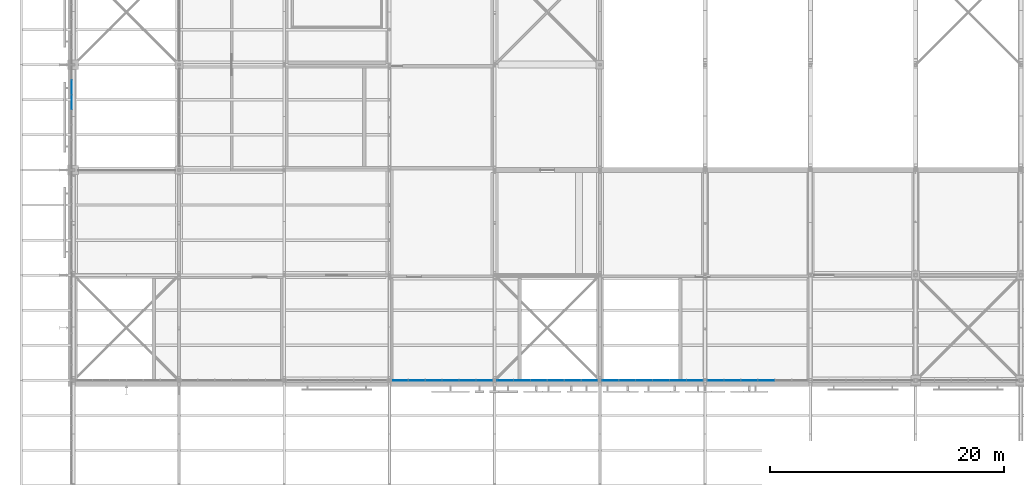
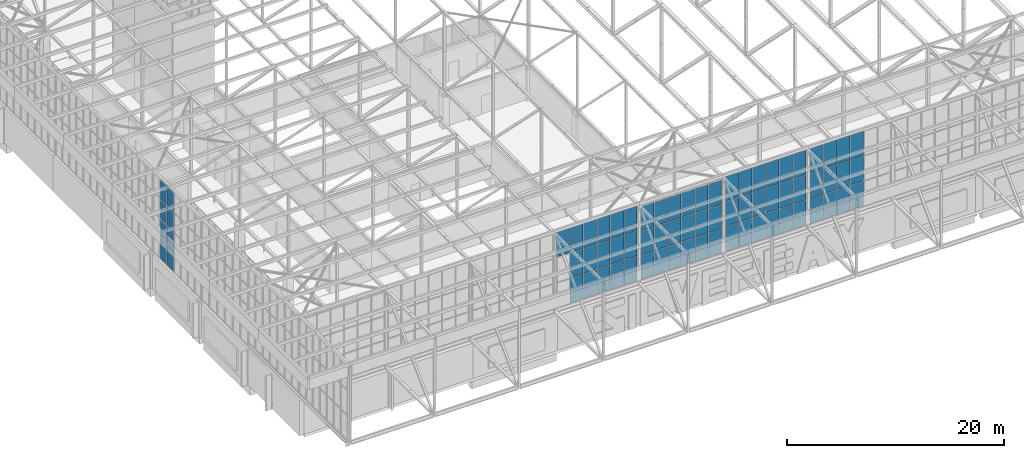
# One storey, part 143 of 646: 72 plates, 5 elements without a shape of their own.
"""IFC4 building model written with IfcOpenShell, lengths in metres."""

import ifcopenshell
import ifcopenshell.guid

model = None  # the IFC model being written
_history = None  # IfcOwnerHistory: only IFC2X3 demands one
_inside = {}  # id of a spatial element -> (the spatial element, [elements in it])
_under = {}  # id of a project, library or spatial element -> (it, [spatial elements below it])
_declared = {}  # id of a project -> (the project, [libraries it declares])
_typed = {}  # id of a type object -> (the type object, [elements of that type])
_made_of = {}  # id of a material, layer set ... -> (it, [elements and type objects made of it])


def new_model(schema):
    """Start an empty IFC model of exactly this schema.

    Asked for "IFC4X3", IfcOpenShell would pick the latest addendum, in which some entities
    have other attributes; the version numbers below select the first issue.
    IFC2X3 requires an IfcOwnerHistory on every rooted entity: one is made here for all.
    """
    global model, _history
    if schema == "IFC4X3":
        model = ifcopenshell.file(schema_version=(4, 3, 0, 0))
    else:
        model = ifcopenshell.file(schema=schema)
    _inside.clear()
    _under.clear()
    _declared.clear()
    _typed.clear()
    _made_of.clear()
    _history = None
    if model.schema == "IFC2X3":
        org = make("IfcOrganization", Name="unknown")
        user = make(
            "IfcPersonAndOrganization",
            ThePerson=make("IfcPerson", FamilyName="unknown"),
            TheOrganization=org,
        )
        app = make(
            "IfcApplication",
            ApplicationDeveloper=org,
            Version="unknown",
            ApplicationFullName="unknown",
            ApplicationIdentifier="unknown",
        )
        _history = make(
            "IfcOwnerHistory",
            OwningUser=user,
            OwningApplication=app,
            ChangeAction="ADDED",
            CreationDate=0,
        )
    return model


def make(cls, **values):
    """One entity of the class cls with the attributes given. An attribute that is None is left unset."""
    return model.create_entity(
        cls, **{name: value for name, value in values.items() if value is not None}
    )


def rooted(cls, **values):
    """An entity with a GlobalId (a new one), such as an element, a storey or a relation."""
    return make(cls, GlobalId=ifcopenshell.guid.new(), OwnerHistory=_history, **values)


def si_unit(unit_type, name, prefix=None):
    """IfcSIUnit, for example si_unit("LENGTHUNIT", "METRE", prefix="MILLI")."""
    return make("IfcSIUnit", UnitType=unit_type, Prefix=prefix, Name=name)


def assignment(units):
    """IfcUnitAssignment: the units of a project."""
    return None if units is None else make("IfcUnitAssignment", Units=units)


def point(xyz):
    """IfcCartesianPoint."""
    return None if xyz is None else make("IfcCartesianPoint", Coordinates=xyz)


def direction(xyz):
    """IfcDirection."""
    return None if xyz is None else make("IfcDirection", DirectionRatios=xyz)


def frame(location, z_axis=None, x_axis=None):
    """IfcAxis2Placement3D, a coordinate frame: its origin and axes. An axis left out is left unset."""
    return make(
        "IfcAxis2Placement3D",
        Location=point(location),
        Axis=direction(z_axis),
        RefDirection=direction(x_axis),
    )


def frame_2d(location, x_axis=None):
    """IfcAxis2Placement2D, a coordinate frame in the plane: its origin and x axis."""
    return make(
        "IfcAxis2Placement2D", Location=point(location), RefDirection=direction(x_axis)
    )


def origin():
    """The frame at (0, 0, 0) with its axes left unset."""
    return frame((0.0, 0.0, 0.0))


def origin_2d():
    """The frame at (0, 0) in the plane with its x axis left unset."""
    return frame_2d((0.0, 0.0))


def place(relative_to, where):
    """IfcLocalPlacement: puts the frame where relative to a parent placement (None: the world)."""
    return make(
        "IfcLocalPlacement", PlacementRelTo=relative_to, RelativePlacement=where
    )


def context(
    kind, dimensions, precision=None, world=None, true_north=None, identifier=None
):
    """IfcGeometricRepresentationContext, for example the 3D "Model" context."""
    return make(
        "IfcGeometricRepresentationContext",
        ContextIdentifier=identifier,
        ContextType=kind,
        CoordinateSpaceDimension=dimensions,
        Precision=precision,
        WorldCoordinateSystem=world,
        TrueNorth=true_north,
    )


def subcontext(parent, identifier, kind, view, scale=None):
    """IfcGeometricRepresentationSubContext, for example "Body" below "Model"."""
    return make(
        "IfcGeometricRepresentationSubContext",
        ContextIdentifier=identifier,
        ContextType=kind,
        ParentContext=parent,
        TargetScale=scale,
        TargetView=view,
    )


def project(units=None, contexts=None):
    """IfcProject with its units and contexts."""
    return rooted(
        "IfcProject",
        Name="project",
        RepresentationContexts=contexts,
        UnitsInContext=assignment(units),
    )


def spatial(cls, under=None, at=None, **own):
    """A site, building, storey or space (cls), placed at a placement, below another one or the project."""
    s = rooted(cls, ObjectPlacement=at, **own)
    if under is not None:
        _under.setdefault(under.id(), (under, []))[1].append(s)
    return s


def profile(cls, at=None, kind="AREA", **sizes):
    """A parametric profile (cls). Its sizes go by their IFC names, for example OverallWidth=200.0."""
    return make(cls, ProfileType=kind, Position=at, **sizes)


def rectangle(**sizes):
    """IfcRectangleProfileDef."""
    return profile("IfcRectangleProfileDef", **sizes)


def extrude(swept, where, along, depth):
    """IfcExtrudedAreaSolid: the profile swept, set in the frame where, extruded along a direction by depth."""
    return make(
        "IfcExtrudedAreaSolid",
        SweptArea=swept,
        Position=where,
        ExtrudedDirection=direction(along),
        Depth=depth,
    )


def shape(context_of_items, identifier, shape_type, items):
    """IfcShapeRepresentation: the items that make up one representation, for example the "Body"."""
    return make(
        "IfcShapeRepresentation",
        ContextOfItems=context_of_items,
        RepresentationIdentifier=identifier,
        RepresentationType=shape_type,
        Items=items,
    )


def material(Name=None, Category=None):
    """IfcMaterial."""
    return make("IfcMaterial", Name=Name, Category=Category)


def layer(
    of_material, thickness, ventilated=None, Name=None, Category=None, Priority=None
):
    """IfcMaterialLayer: one layer of a wall or slab, of a material (None: an air gap)."""
    return make(
        "IfcMaterialLayer",
        Material=of_material,
        LayerThickness=thickness,
        IsVentilated=ventilated,
        Name=Name,
        Category=Category,
        Priority=Priority,
    )


def layer_set(layers, Name=None):
    """IfcMaterialLayerSet."""
    return make("IfcMaterialLayerSet", MaterialLayers=layers, LayerSetName=Name)


def made_of(thing, what):
    """Note that an element or type object is made of a material, layer set ...; save() writes the relation."""
    if what is not None:
        _made_of.setdefault(what.id(), (what, []))[1].append(thing)
    return thing


def type_object(cls, material=None, **own):
    """A type object (cls), such as IfcWallType, which elements share."""
    return made_of(rooted(cls, **own), material)


def element(
    cls,
    number,
    at=None,
    inside=None,
    cuts=None,
    type_object=None,
    material=None,
    context=None,
    identifier="Body",
    shape_type=None,
    held_by="IfcProductDefinitionShape",
    body=None,
    shapes=None,
    **own,
):
    """One element of the class cls, such as IfcWall. Its Tag is "e" and its number.

    at: its placement. inside: the storey or other place that contains it. cuts: it is an
    opening in that element (IfcRelVoidsElement). A single representation is given by context,
    identifier, shape_type and body (its items); several are given by shapes. held_by: the class
    of the entity that holds the representations. save() writes the other relations.
    """
    e = rooted(cls, Tag="e%d" % number, ObjectPlacement=at, **own)
    if body is not None:
        shapes = [shape(context, identifier, shape_type, body)]
    if shapes is not None:
        e.Representation = make(held_by, Representations=shapes)
    if inside is not None:
        _inside.setdefault(inside.id(), (inside, []))[1].append(e)
    if cuts is not None:
        rooted(
            "IfcRelVoidsElement", RelatingBuildingElement=cuts, RelatedOpeningElement=e
        )
    if type_object is not None:
        _typed.setdefault(type_object.id(), (type_object, []))[1].append(e)
    return made_of(e, material)


def aggregate(whole, parts):
    """IfcRelAggregates: a whole, such as a stair, and the parts it consists of."""
    return rooted("IfcRelAggregates", RelatingObject=whole, RelatedObjects=parts)


def save(model, path):
    """Write the relations noted so far, then the file.

    IfcRelAggregates (storeys below a building ...), IfcRelContainedInSpatialStructure (elements
    in a storey), IfcRelDefinesByType, IfcRelAssociatesMaterial and IfcRelDeclares: one each for
    every whole, place, type object, material and project.
    """
    for whole, parts in _under.values():
        aggregate(whole, parts)
    for where, things in _inside.values():
        rooted(
            "IfcRelContainedInSpatialStructure",
            RelatedElements=things,
            RelatingStructure=where,
        )
    for kind, things in _typed.values():
        rooted("IfcRelDefinesByType", RelatedObjects=things, RelatingType=kind)
    for what, things in _made_of.values():
        rooted("IfcRelAssociatesMaterial", RelatedObjects=things, RelatingMaterial=what)
    for by, libraries in _declared.values():
        rooted("IfcRelDeclares", RelatingContext=by, RelatedDefinitions=libraries)
    model.write(path)


model = new_model("IFC4")

# Units and contexts
model_context = context("Model", 3, precision=1e-05, world=origin(), true_north=direction((0.0, 1.0)))
body_context = subcontext(model_context, "Body", "Model", "MODEL_VIEW")
ifc_project = project(units=[si_unit("LENGTHUNIT", "METRE"), si_unit("AREAUNIT", "SQUARE_METRE"), si_unit("VOLUMEUNIT", "CUBIC_METRE"), si_unit("PLANEANGLEUNIT", "RADIAN"), si_unit("MASSUNIT", "GRAM", prefix="KILO")], contexts=[model_context])

# Site, building, storey
site_placement = place(None, origin())
site = spatial("IfcSite", under=ifc_project, at=site_placement, CompositionType="ELEMENT")
building_placement = place(site_placement, origin())
building = spatial("IfcBuilding", under=site, at=building_placement, Name="Silverbay Arena", CompositionType="ELEMENT")
storey_placement = place(building_placement, frame((0.0, 0.0, 33.5)))
storey = spatial("IfcBuildingStorey", under=building, at=storey_placement, Name="L05", CompositionType="ELEMENT", Elevation=33.5)

# Curtain wall, plates
ifc_material_1 = material(Name="Aluminium framed glazing", Category="aluminium")
curtain_wall_type_1 = type_object("IfcCurtainWallType", Name="Curtain wall clerestory 8693 x 8540", PredefinedType="NOTDEFINED", material=ifc_material_1)
curtain_wall_1_placement = place(storey_placement, origin())
curtain_wall_1 = element("IfcCurtainWall", 1, at=curtain_wall_1_placement, inside=storey, type_object=curtain_wall_type_1, Name="ROOF CLERESTORY CURTAIN WALL south bay 04", PredefinedType="NOTDEFINED")
ifc_material_2 = material(Name="Laminated glass", Category="glass")
ifc_layer = layer(ifc_material_2, 0.028076171875)
ifc_layer_set = layer_set([ifc_layer], Name="Laminated glass")
plate_type = type_object("IfcPlateType", Name="Glass panel 28", PredefinedType="CURTAIN_PANEL", material=ifc_layer_set)
plate_1_placement = place(storey_placement, frame((81.89306640625, 18.0, 10.17822265625), z_axis=(0.0, 0.0, 1.0), x_axis=(1.0, 0.0, 0.0)))
plate_1 = element("IfcPlate", 2, at=plate_1_placement, type_object=plate_type, Name="CW55 panel 1.3", PredefinedType="CURTAIN_PANEL", context=body_context, shape_type="SweptSolid", body=[
    extrude(rectangle(XDim=1.35888671875, YDim=0.028076171875, at=origin_2d()), origin(), (0.0, 0.0, 1.0), 2.771728515625),
])
plate_2_placement = place(storey_placement, frame((83.326904296875, 18.0, 4.509765625), z_axis=(0.0, 0.0, 1.0), x_axis=(1.0, 0.0, 0.0)))
plate_2 = element("IfcPlate", 3, at=plate_2_placement, type_object=plate_type, Name="CW55 panel 2.1", PredefinedType="CURTAIN_PANEL", context=body_context, shape_type="SweptSolid", body=[
    extrude(rectangle(XDim=1.388671875, YDim=0.028076171875, at=origin_2d()), origin(), (0.0, 0.0, 1.0), 2.771728515625),
])
plate_3_placement = place(storey_placement, frame((83.326904296875, 18.0, 7.33154296875), z_axis=(0.0, 0.0, 1.0), x_axis=(1.0, 0.0, 0.0)))
plate_3 = element("IfcPlate", 4, at=plate_3_placement, type_object=plate_type, Name="CW55 panel 2.2", PredefinedType="CURTAIN_PANEL", context=body_context, shape_type="SweptSolid", body=[
    extrude(rectangle(XDim=1.388671875, YDim=0.028076171875, at=origin_2d()), origin(), (0.0, 0.0, 1.0), 2.796630859375),
])
plate_4_placement = place(storey_placement, frame((83.326904296875, 18.0, 10.17822265625), z_axis=(0.0, 0.0, 1.0), x_axis=(1.0, 0.0, 0.0)))
plate_4 = element("IfcPlate", 5, at=plate_4_placement, type_object=plate_type, Name="CW55 panel 2.3", PredefinedType="CURTAIN_PANEL", context=body_context, shape_type="SweptSolid", body=[
    extrude(rectangle(XDim=1.388671875, YDim=0.028076171875, at=origin_2d()), origin(), (0.0, 0.0, 1.0), 2.771728515625),
])
plate_5_placement = place(storey_placement, frame((84.775634765625, 18.0, 4.509765625), z_axis=(0.0, 0.0, 1.0), x_axis=(1.0, 0.0, 0.0)))
plate_5 = element("IfcPlate", 6, at=plate_5_placement, type_object=plate_type, Name="CW55 panel 3.1", PredefinedType="CURTAIN_PANEL", context=body_context, shape_type="SweptSolid", body=[
    extrude(rectangle(XDim=1.388671875, YDim=0.028076171875, at=origin_2d()), origin(), (0.0, 0.0, 1.0), 2.771728515625),
])
plate_6_placement = place(storey_placement, frame((84.775634765625, 18.0, 7.33154296875), z_axis=(0.0, 0.0, 1.0), x_axis=(1.0, 0.0, 0.0)))
plate_6 = element("IfcPlate", 7, at=plate_6_placement, type_object=plate_type, Name="CW55 panel 3.2", PredefinedType="CURTAIN_PANEL", context=body_context, shape_type="SweptSolid", body=[
    extrude(rectangle(XDim=1.388671875, YDim=0.028076171875, at=origin_2d()), origin(), (0.0, 0.0, 1.0), 2.796630859375),
])
plate_7_placement = place(storey_placement, frame((84.775634765625, 18.0, 10.17822265625), z_axis=(0.0, 0.0, 1.0), x_axis=(1.0, 0.0, 0.0)))
plate_7 = element("IfcPlate", 8, at=plate_7_placement, type_object=plate_type, Name="CW55 panel 3.3", PredefinedType="CURTAIN_PANEL", context=body_context, shape_type="SweptSolid", body=[
    extrude(rectangle(XDim=1.388671875, YDim=0.028076171875, at=origin_2d()), origin(), (0.0, 0.0, 1.0), 2.771728515625),
])
plate_8_placement = place(storey_placement, frame((86.224365234375, 18.0, 4.509765625), z_axis=(0.0, 0.0, 1.0), x_axis=(1.0, 0.0, 0.0)))
plate_8 = element("IfcPlate", 9, at=plate_8_placement, type_object=plate_type, Name="CW55 panel 4.1", PredefinedType="CURTAIN_PANEL", context=body_context, shape_type="SweptSolid", body=[
    extrude(rectangle(XDim=1.388671875, YDim=0.028076171875, at=origin_2d()), origin(), (0.0, 0.0, 1.0), 2.771728515625),
])
plate_9_placement = place(storey_placement, frame((86.224365234375, 18.0, 7.33154296875), z_axis=(0.0, 0.0, 1.0), x_axis=(1.0, 0.0, 0.0)))
plate_9 = element("IfcPlate", 10, at=plate_9_placement, type_object=plate_type, Name="CW55 panel 4.2", PredefinedType="CURTAIN_PANEL", context=body_context, shape_type="SweptSolid", body=[
    extrude(rectangle(XDim=1.388671875, YDim=0.028076171875, at=origin_2d()), origin(), (0.0, 0.0, 1.0), 2.796630859375),
])
plate_10_placement = place(storey_placement, frame((86.224365234375, 18.0, 10.17822265625), z_axis=(0.0, 0.0, 1.0), x_axis=(1.0, 0.0, 0.0)))
plate_10 = element("IfcPlate", 11, at=plate_10_placement, type_object=plate_type, Name="CW55 panel 4.3", PredefinedType="CURTAIN_PANEL", context=body_context, shape_type="SweptSolid", body=[
    extrude(rectangle(XDim=1.388671875, YDim=0.028076171875, at=origin_2d()), origin(), (0.0, 0.0, 1.0), 2.771728515625),
])
plate_11_placement = place(storey_placement, frame((87.673095703125, 18.0, 4.509765625), z_axis=(0.0, 0.0, 1.0), x_axis=(1.0, 0.0, 0.0)))
plate_11 = element("IfcPlate", 12, at=plate_11_placement, type_object=plate_type, Name="CW55 panel 5.1", PredefinedType="CURTAIN_PANEL", context=body_context, shape_type="SweptSolid", body=[
    extrude(rectangle(XDim=1.388671875, YDim=0.028076171875, at=origin_2d()), origin(), (0.0, 0.0, 1.0), 2.771728515625),
])
plate_12_placement = place(storey_placement, frame((87.673095703125, 18.0, 7.33154296875), z_axis=(0.0, 0.0, 1.0), x_axis=(1.0, 0.0, 0.0)))
plate_12 = element("IfcPlate", 13, at=plate_12_placement, type_object=plate_type, Name="CW55 panel 5.2", PredefinedType="CURTAIN_PANEL", context=body_context, shape_type="SweptSolid", body=[
    extrude(rectangle(XDim=1.388671875, YDim=0.028076171875, at=origin_2d()), origin(), (0.0, 0.0, 1.0), 2.796630859375),
])
plate_13_placement = place(storey_placement, frame((87.673095703125, 18.0, 10.17822265625), z_axis=(0.0, 0.0, 1.0), x_axis=(1.0, 0.0, 0.0)))
plate_13 = element("IfcPlate", 14, at=plate_13_placement, type_object=plate_type, Name="CW55 panel 5.3", PredefinedType="CURTAIN_PANEL", context=body_context, shape_type="SweptSolid", body=[
    extrude(rectangle(XDim=1.388671875, YDim=0.028076171875, at=origin_2d()), origin(), (0.0, 0.0, 1.0), 2.771728515625),
])
plate_14_placement = place(storey_placement, frame((89.10693359375, 18.0, 4.509765625), z_axis=(0.0, 0.0, 1.0), x_axis=(1.0, 0.0, 0.0)))
plate_14 = element("IfcPlate", 15, at=plate_14_placement, type_object=plate_type, Name="CW55 panel 6.1", PredefinedType="CURTAIN_PANEL", context=body_context, shape_type="SweptSolid", body=[
    extrude(rectangle(XDim=1.35888671875, YDim=0.028076171875, at=origin_2d()), origin(), (0.0, 0.0, 1.0), 2.771728515625),
])
plate_15_placement = place(storey_placement, frame((89.10693359375, 18.0, 7.33154296875), z_axis=(0.0, 0.0, 1.0), x_axis=(1.0, 0.0, 0.0)))
plate_15 = element("IfcPlate", 16, at=plate_15_placement, type_object=plate_type, Name="CW55 panel 6.2", PredefinedType="CURTAIN_PANEL", context=body_context, shape_type="SweptSolid", body=[
    extrude(rectangle(XDim=1.35888671875, YDim=0.028076171875, at=origin_2d()), origin(), (0.0, 0.0, 1.0), 2.796630859375),
])
plate_16_placement = place(storey_placement, frame((89.10693359375, 18.0, 10.17822265625), z_axis=(0.0, 0.0, 1.0), x_axis=(1.0, 0.0, 0.0)))
plate_16 = element("IfcPlate", 17, at=plate_16_placement, type_object=plate_type, Name="CW55 panel 6.3", PredefinedType="CURTAIN_PANEL", context=body_context, shape_type="SweptSolid", body=[
    extrude(rectangle(XDim=1.35888671875, YDim=0.028076171875, at=origin_2d()), origin(), (0.0, 0.0, 1.0), 2.771728515625),
])
aggregate(curtain_wall_1, [plate_1, plate_2, plate_3, plate_4, plate_5, plate_6, plate_7, plate_8, plate_9, plate_10, plate_11, plate_12, plate_13, plate_14, plate_15, plate_16])

ifc_material_3 = material(Name="Aluminium framed glazing", Category="aluminium")
curtain_wall_type_2 = type_object("IfcCurtainWallType", Name="Curtain wall clerestory 8693 x 8303", PredefinedType="NOTDEFINED", material=ifc_material_3)
curtain_wall_2_placement = place(storey_placement, origin())
curtain_wall_2 = element("IfcCurtainWall", 18, at=curtain_wall_2_placement, inside=storey, type_object=curtain_wall_type_2, Name="ROOF CLERESTORY CURTAIN WALL south bay 05", PredefinedType="NOTDEFINED")
plate_17_placement = place(storey_placement, frame((90.89306640625, 18.0, 4.510009765625), z_axis=(0.0, 0.0, 1.0), x_axis=(1.0, 0.0, 0.0)))
plate_17 = element("IfcPlate", 19, at=plate_17_placement, type_object=plate_type, Name="CW54 panel 1.1", PredefinedType="CURTAIN_PANEL", context=body_context, shape_type="SweptSolid", body=[
    extrude(rectangle(XDim=1.35888671875, YDim=0.028076171875, at=origin_2d()), origin(), (0.0, 0.0, 1.0), 2.69287109375),
])
plate_18_placement = place(storey_placement, frame((90.89306640625, 18.0, 7.2529296875), z_axis=(0.0, 0.0, 1.0), x_axis=(1.0, 0.0, 0.0)))
plate_18 = element("IfcPlate", 20, at=plate_18_placement, type_object=plate_type, Name="CW54 panel 1.2", PredefinedType="CURTAIN_PANEL", context=body_context, shape_type="SweptSolid", body=[
    extrude(rectangle(XDim=1.35888671875, YDim=0.028076171875, at=origin_2d()), origin(), (0.0, 0.0, 1.0), 2.7177734375),
])
plate_19_placement = place(storey_placement, frame((90.89306640625, 18.0, 10.0205078125), z_axis=(0.0, 0.0, 1.0), x_axis=(1.0, 0.0, 0.0)))
plate_19 = element("IfcPlate", 21, at=plate_19_placement, type_object=plate_type, Name="CW54 panel 1.3", PredefinedType="CURTAIN_PANEL", context=body_context, shape_type="SweptSolid", body=[
    extrude(rectangle(XDim=1.35888671875, YDim=0.028076171875, at=origin_2d()), origin(), (0.0, 0.0, 1.0), 2.69287109375),
])
plate_20_placement = place(storey_placement, frame((92.326904296875, 18.0, 4.510009765625), z_axis=(0.0, 0.0, 1.0), x_axis=(1.0, 0.0, 0.0)))
plate_20 = element("IfcPlate", 22, at=plate_20_placement, type_object=plate_type, Name="CW54 panel 2.1", PredefinedType="CURTAIN_PANEL", context=body_context, shape_type="SweptSolid", body=[
    extrude(rectangle(XDim=1.388671875, YDim=0.028076171875, at=origin_2d()), origin(), (0.0, 0.0, 1.0), 2.69287109375),
])
plate_21_placement = place(storey_placement, frame((92.326904296875, 18.0, 7.2529296875), z_axis=(0.0, 0.0, 1.0), x_axis=(1.0, 0.0, 0.0)))
plate_21 = element("IfcPlate", 23, at=plate_21_placement, type_object=plate_type, Name="CW54 panel 2.2", PredefinedType="CURTAIN_PANEL", context=body_context, shape_type="SweptSolid", body=[
    extrude(rectangle(XDim=1.388671875, YDim=0.028076171875, at=origin_2d()), origin(), (0.0, 0.0, 1.0), 2.7177734375),
])
plate_22_placement = place(storey_placement, frame((92.326904296875, 18.0, 10.0205078125), z_axis=(0.0, 0.0, 1.0), x_axis=(1.0, 0.0, 0.0)))
plate_22 = element("IfcPlate", 24, at=plate_22_placement, type_object=plate_type, Name="CW54 panel 2.3", PredefinedType="CURTAIN_PANEL", context=body_context, shape_type="SweptSolid", body=[
    extrude(rectangle(XDim=1.388671875, YDim=0.028076171875, at=origin_2d()), origin(), (0.0, 0.0, 1.0), 2.69287109375),
])
plate_23_placement = place(storey_placement, frame((93.775634765625, 18.0, 4.510009765625), z_axis=(0.0, 0.0, 1.0), x_axis=(1.0, 0.0, 0.0)))
plate_23 = element("IfcPlate", 25, at=plate_23_placement, type_object=plate_type, Name="CW54 panel 3.1", PredefinedType="CURTAIN_PANEL", context=body_context, shape_type="SweptSolid", body=[
    extrude(rectangle(XDim=1.388671875, YDim=0.028076171875, at=origin_2d()), origin(), (0.0, 0.0, 1.0), 2.69287109375),
])
plate_24_placement = place(storey_placement, frame((93.775634765625, 18.0, 7.2529296875), z_axis=(0.0, 0.0, 1.0), x_axis=(1.0, 0.0, 0.0)))
plate_24 = element("IfcPlate", 26, at=plate_24_placement, type_object=plate_type, Name="CW54 panel 3.2", PredefinedType="CURTAIN_PANEL", context=body_context, shape_type="SweptSolid", body=[
    extrude(rectangle(XDim=1.388671875, YDim=0.028076171875, at=origin_2d()), origin(), (0.0, 0.0, 1.0), 2.7177734375),
])
plate_25_placement = place(storey_placement, frame((93.775634765625, 18.0, 10.0205078125), z_axis=(0.0, 0.0, 1.0), x_axis=(1.0, 0.0, 0.0)))
plate_25 = element("IfcPlate", 27, at=plate_25_placement, type_object=plate_type, Name="CW54 panel 3.3", PredefinedType="CURTAIN_PANEL", context=body_context, shape_type="SweptSolid", body=[
    extrude(rectangle(XDim=1.388671875, YDim=0.028076171875, at=origin_2d()), origin(), (0.0, 0.0, 1.0), 2.69287109375),
])
plate_26_placement = place(storey_placement, frame((95.224365234375, 18.0, 4.510009765625), z_axis=(0.0, 0.0, 1.0), x_axis=(1.0, 0.0, 0.0)))
plate_26 = element("IfcPlate", 28, at=plate_26_placement, type_object=plate_type, Name="CW54 panel 4.1", PredefinedType="CURTAIN_PANEL", context=body_context, shape_type="SweptSolid", body=[
    extrude(rectangle(XDim=1.388671875, YDim=0.028076171875, at=origin_2d()), origin(), (0.0, 0.0, 1.0), 2.69287109375),
])
plate_27_placement = place(storey_placement, frame((95.224365234375, 18.0, 7.2529296875), z_axis=(0.0, 0.0, 1.0), x_axis=(1.0, 0.0, 0.0)))
plate_27 = element("IfcPlate", 29, at=plate_27_placement, type_object=plate_type, Name="CW54 panel 4.2", PredefinedType="CURTAIN_PANEL", context=body_context, shape_type="SweptSolid", body=[
    extrude(rectangle(XDim=1.388671875, YDim=0.028076171875, at=origin_2d()), origin(), (0.0, 0.0, 1.0), 2.7177734375),
])
plate_28_placement = place(storey_placement, frame((95.224365234375, 18.0, 10.0205078125), z_axis=(0.0, 0.0, 1.0), x_axis=(1.0, 0.0, 0.0)))
plate_28 = element("IfcPlate", 30, at=plate_28_placement, type_object=plate_type, Name="CW54 panel 4.3", PredefinedType="CURTAIN_PANEL", context=body_context, shape_type="SweptSolid", body=[
    extrude(rectangle(XDim=1.388671875, YDim=0.028076171875, at=origin_2d()), origin(), (0.0, 0.0, 1.0), 2.69287109375),
])
plate_29_placement = place(storey_placement, frame((96.673095703125, 18.0, 4.510009765625), z_axis=(0.0, 0.0, 1.0), x_axis=(1.0, 0.0, 0.0)))
plate_29 = element("IfcPlate", 31, at=plate_29_placement, type_object=plate_type, Name="CW54 panel 5.1", PredefinedType="CURTAIN_PANEL", context=body_context, shape_type="SweptSolid", body=[
    extrude(rectangle(XDim=1.388671875, YDim=0.028076171875, at=origin_2d()), origin(), (0.0, 0.0, 1.0), 2.69287109375),
])
plate_30_placement = place(storey_placement, frame((96.673095703125, 18.0, 7.2529296875), z_axis=(0.0, 0.0, 1.0), x_axis=(1.0, 0.0, 0.0)))
plate_30 = element("IfcPlate", 32, at=plate_30_placement, type_object=plate_type, Name="CW54 panel 5.2", PredefinedType="CURTAIN_PANEL", context=body_context, shape_type="SweptSolid", body=[
    extrude(rectangle(XDim=1.388671875, YDim=0.028076171875, at=origin_2d()), origin(), (0.0, 0.0, 1.0), 2.7177734375),
])
plate_31_placement = place(storey_placement, frame((96.673095703125, 18.0, 10.0205078125), z_axis=(0.0, 0.0, 1.0), x_axis=(1.0, 0.0, 0.0)))
plate_31 = element("IfcPlate", 33, at=plate_31_placement, type_object=plate_type, Name="CW54 panel 5.3", PredefinedType="CURTAIN_PANEL", context=body_context, shape_type="SweptSolid", body=[
    extrude(rectangle(XDim=1.388671875, YDim=0.028076171875, at=origin_2d()), origin(), (0.0, 0.0, 1.0), 2.69287109375),
])
plate_32_placement = place(storey_placement, frame((98.10693359375, 18.0, 4.510009765625), z_axis=(0.0, 0.0, 1.0), x_axis=(1.0, 0.0, 0.0)))
plate_32 = element("IfcPlate", 34, at=plate_32_placement, type_object=plate_type, Name="CW54 panel 6.1", PredefinedType="CURTAIN_PANEL", context=body_context, shape_type="SweptSolid", body=[
    extrude(rectangle(XDim=1.35888671875, YDim=0.028076171875, at=origin_2d()), origin(), (0.0, 0.0, 1.0), 2.69287109375),
])
plate_33_placement = place(storey_placement, frame((98.10693359375, 18.0, 7.2529296875), z_axis=(0.0, 0.0, 1.0), x_axis=(1.0, 0.0, 0.0)))
plate_33 = element("IfcPlate", 35, at=plate_33_placement, type_object=plate_type, Name="CW54 panel 6.2", PredefinedType="CURTAIN_PANEL", context=body_context, shape_type="SweptSolid", body=[
    extrude(rectangle(XDim=1.35888671875, YDim=0.028076171875, at=origin_2d()), origin(), (0.0, 0.0, 1.0), 2.7177734375),
])
plate_34_placement = place(storey_placement, frame((98.10693359375, 18.0, 10.0205078125), z_axis=(0.0, 0.0, 1.0), x_axis=(1.0, 0.0, 0.0)))
plate_34 = element("IfcPlate", 36, at=plate_34_placement, type_object=plate_type, Name="CW54 panel 6.3", PredefinedType="CURTAIN_PANEL", context=body_context, shape_type="SweptSolid", body=[
    extrude(rectangle(XDim=1.35888671875, YDim=0.028076171875, at=origin_2d()), origin(), (0.0, 0.0, 1.0), 2.69287109375),
])
aggregate(curtain_wall_2, [plate_17, plate_18, plate_19, plate_20, plate_21, plate_22, plate_23, plate_24, plate_25, plate_26, plate_27, plate_28, plate_29, plate_30, plate_31, plate_32, plate_33, plate_34])

curtain_wall_3_placement = place(storey_placement, origin())
curtain_wall_3 = element("IfcCurtainWall", 37, at=curtain_wall_3_placement, inside=storey, type_object=curtain_wall_type_1, Name="ROOF CLERESTORY CURTAIN WALL south bay 06", PredefinedType="NOTDEFINED")
plate_35_placement = place(storey_placement, frame((99.89306640625, 18.0, 4.509765625), z_axis=(0.0, 0.0, 1.0), x_axis=(1.0, 0.0, 0.0)))
plate_35 = element("IfcPlate", 38, at=plate_35_placement, type_object=plate_type, Name="CW55 panel 1.1", PredefinedType="CURTAIN_PANEL", context=body_context, shape_type="SweptSolid", body=[
    extrude(rectangle(XDim=1.35888671875, YDim=0.028076171875, at=origin_2d()), origin(), (0.0, 0.0, 1.0), 2.771728515625),
])
plate_36_placement = place(storey_placement, frame((99.89306640625, 18.0, 7.33154296875), z_axis=(0.0, 0.0, 1.0), x_axis=(1.0, 0.0, 0.0)))
plate_36 = element("IfcPlate", 39, at=plate_36_placement, type_object=plate_type, Name="CW55 panel 1.2", PredefinedType="CURTAIN_PANEL", context=body_context, shape_type="SweptSolid", body=[
    extrude(rectangle(XDim=1.35888671875, YDim=0.028076171875, at=origin_2d()), origin(), (0.0, 0.0, 1.0), 2.796630859375),
])
plate_37_placement = place(storey_placement, frame((99.89306640625, 18.0, 10.17822265625), z_axis=(0.0, 0.0, 1.0), x_axis=(1.0, 0.0, 0.0)))
plate_37 = element("IfcPlate", 40, at=plate_37_placement, type_object=plate_type, Name="CW55 panel 1.3", PredefinedType="CURTAIN_PANEL", context=body_context, shape_type="SweptSolid", body=[
    extrude(rectangle(XDim=1.35888671875, YDim=0.028076171875, at=origin_2d()), origin(), (0.0, 0.0, 1.0), 2.771728515625),
])
plate_38_placement = place(storey_placement, frame((101.326904296875, 18.0, 4.509765625), z_axis=(0.0, 0.0, 1.0), x_axis=(1.0, 0.0, 0.0)))
plate_38 = element("IfcPlate", 41, at=plate_38_placement, type_object=plate_type, Name="CW55 panel 2.1", PredefinedType="CURTAIN_PANEL", context=body_context, shape_type="SweptSolid", body=[
    extrude(rectangle(XDim=1.388671875, YDim=0.028076171875, at=origin_2d()), origin(), (0.0, 0.0, 1.0), 2.771728515625),
])
plate_39_placement = place(storey_placement, frame((101.326904296875, 18.0, 7.33154296875), z_axis=(0.0, 0.0, 1.0), x_axis=(1.0, 0.0, 0.0)))
plate_39 = element("IfcPlate", 42, at=plate_39_placement, type_object=plate_type, Name="CW55 panel 2.2", PredefinedType="CURTAIN_PANEL", context=body_context, shape_type="SweptSolid", body=[
    extrude(rectangle(XDim=1.388671875, YDim=0.028076171875, at=origin_2d()), origin(), (0.0, 0.0, 1.0), 2.796630859375),
])
plate_40_placement = place(storey_placement, frame((101.326904296875, 18.0, 10.17822265625), z_axis=(0.0, 0.0, 1.0), x_axis=(1.0, 0.0, 0.0)))
plate_40 = element("IfcPlate", 43, at=plate_40_placement, type_object=plate_type, Name="CW55 panel 2.3", PredefinedType="CURTAIN_PANEL", context=body_context, shape_type="SweptSolid", body=[
    extrude(rectangle(XDim=1.388671875, YDim=0.028076171875, at=origin_2d()), origin(), (0.0, 0.0, 1.0), 2.771728515625),
])
plate_41_placement = place(storey_placement, frame((102.775634765625, 18.0, 4.509765625), z_axis=(0.0, 0.0, 1.0), x_axis=(1.0, 0.0, 0.0)))
plate_41 = element("IfcPlate", 44, at=plate_41_placement, type_object=plate_type, Name="CW55 panel 3.1", PredefinedType="CURTAIN_PANEL", context=body_context, shape_type="SweptSolid", body=[
    extrude(rectangle(XDim=1.388671875, YDim=0.028076171875, at=origin_2d()), origin(), (0.0, 0.0, 1.0), 2.771728515625),
])
plate_42_placement = place(storey_placement, frame((102.775634765625, 18.0, 7.33154296875), z_axis=(0.0, 0.0, 1.0), x_axis=(1.0, 0.0, 0.0)))
plate_42 = element("IfcPlate", 45, at=plate_42_placement, type_object=plate_type, Name="CW55 panel 3.2", PredefinedType="CURTAIN_PANEL", context=body_context, shape_type="SweptSolid", body=[
    extrude(rectangle(XDim=1.388671875, YDim=0.028076171875, at=origin_2d()), origin(), (0.0, 0.0, 1.0), 2.796630859375),
])
plate_43_placement = place(storey_placement, frame((102.775634765625, 18.0, 10.17822265625), z_axis=(0.0, 0.0, 1.0), x_axis=(1.0, 0.0, 0.0)))
plate_43 = element("IfcPlate", 46, at=plate_43_placement, type_object=plate_type, Name="CW55 panel 3.3", PredefinedType="CURTAIN_PANEL", context=body_context, shape_type="SweptSolid", body=[
    extrude(rectangle(XDim=1.388671875, YDim=0.028076171875, at=origin_2d()), origin(), (0.0, 0.0, 1.0), 2.771728515625),
])
plate_44_placement = place(storey_placement, frame((104.224365234375, 18.0, 4.509765625), z_axis=(0.0, 0.0, 1.0), x_axis=(1.0, 0.0, 0.0)))
plate_44 = element("IfcPlate", 47, at=plate_44_placement, type_object=plate_type, Name="CW55 panel 4.1", PredefinedType="CURTAIN_PANEL", context=body_context, shape_type="SweptSolid", body=[
    extrude(rectangle(XDim=1.388671875, YDim=0.028076171875, at=origin_2d()), origin(), (0.0, 0.0, 1.0), 2.771728515625),
])
plate_45_placement = place(storey_placement, frame((104.224365234375, 18.0, 7.33154296875), z_axis=(0.0, 0.0, 1.0), x_axis=(1.0, 0.0, 0.0)))
plate_45 = element("IfcPlate", 48, at=plate_45_placement, type_object=plate_type, Name="CW55 panel 4.2", PredefinedType="CURTAIN_PANEL", context=body_context, shape_type="SweptSolid", body=[
    extrude(rectangle(XDim=1.388671875, YDim=0.028076171875, at=origin_2d()), origin(), (0.0, 0.0, 1.0), 2.796630859375),
])
plate_46_placement = place(storey_placement, frame((104.224365234375, 18.0, 10.17822265625), z_axis=(0.0, 0.0, 1.0), x_axis=(1.0, 0.0, 0.0)))
plate_46 = element("IfcPlate", 49, at=plate_46_placement, type_object=plate_type, Name="CW55 panel 4.3", PredefinedType="CURTAIN_PANEL", context=body_context, shape_type="SweptSolid", body=[
    extrude(rectangle(XDim=1.388671875, YDim=0.028076171875, at=origin_2d()), origin(), (0.0, 0.0, 1.0), 2.771728515625),
])
plate_47_placement = place(storey_placement, frame((105.673095703125, 18.0, 4.509765625), z_axis=(0.0, 0.0, 1.0), x_axis=(1.0, 0.0, 0.0)))
plate_47 = element("IfcPlate", 50, at=plate_47_placement, type_object=plate_type, Name="CW55 panel 5.1", PredefinedType="CURTAIN_PANEL", context=body_context, shape_type="SweptSolid", body=[
    extrude(rectangle(XDim=1.388671875, YDim=0.028076171875, at=origin_2d()), origin(), (0.0, 0.0, 1.0), 2.771728515625),
])
plate_48_placement = place(storey_placement, frame((105.673095703125, 18.0, 7.33154296875), z_axis=(0.0, 0.0, 1.0), x_axis=(1.0, 0.0, 0.0)))
plate_48 = element("IfcPlate", 51, at=plate_48_placement, type_object=plate_type, Name="CW55 panel 5.2", PredefinedType="CURTAIN_PANEL", context=body_context, shape_type="SweptSolid", body=[
    extrude(rectangle(XDim=1.388671875, YDim=0.028076171875, at=origin_2d()), origin(), (0.0, 0.0, 1.0), 2.796630859375),
])
plate_49_placement = place(storey_placement, frame((105.673095703125, 18.0, 10.17822265625), z_axis=(0.0, 0.0, 1.0), x_axis=(1.0, 0.0, 0.0)))
plate_49 = element("IfcPlate", 52, at=plate_49_placement, type_object=plate_type, Name="CW55 panel 5.3", PredefinedType="CURTAIN_PANEL", context=body_context, shape_type="SweptSolid", body=[
    extrude(rectangle(XDim=1.388671875, YDim=0.028076171875, at=origin_2d()), origin(), (0.0, 0.0, 1.0), 2.771728515625),
])
plate_50_placement = place(storey_placement, frame((107.10693359375, 18.0, 4.509765625), z_axis=(0.0, 0.0, 1.0), x_axis=(1.0, 0.0, 0.0)))
plate_50 = element("IfcPlate", 53, at=plate_50_placement, type_object=plate_type, Name="CW55 panel 6.1", PredefinedType="CURTAIN_PANEL", context=body_context, shape_type="SweptSolid", body=[
    extrude(rectangle(XDim=1.35888671875, YDim=0.028076171875, at=origin_2d()), origin(), (0.0, 0.0, 1.0), 2.771728515625),
])
plate_51_placement = place(storey_placement, frame((107.10693359375, 18.0, 7.33154296875), z_axis=(0.0, 0.0, 1.0), x_axis=(1.0, 0.0, 0.0)))
plate_51 = element("IfcPlate", 54, at=plate_51_placement, type_object=plate_type, Name="CW55 panel 6.2", PredefinedType="CURTAIN_PANEL", context=body_context, shape_type="SweptSolid", body=[
    extrude(rectangle(XDim=1.35888671875, YDim=0.028076171875, at=origin_2d()), origin(), (0.0, 0.0, 1.0), 2.796630859375),
])
plate_52_placement = place(storey_placement, frame((107.10693359375, 18.0, 10.17822265625), z_axis=(0.0, 0.0, 1.0), x_axis=(1.0, 0.0, 0.0)))
plate_52 = element("IfcPlate", 55, at=plate_52_placement, type_object=plate_type, Name="CW55 panel 6.3", PredefinedType="CURTAIN_PANEL", context=body_context, shape_type="SweptSolid", body=[
    extrude(rectangle(XDim=1.35888671875, YDim=0.028076171875, at=origin_2d()), origin(), (0.0, 0.0, 1.0), 2.771728515625),
])
aggregate(curtain_wall_3, [plate_35, plate_36, plate_37, plate_38, plate_39, plate_40, plate_41, plate_42, plate_43, plate_44, plate_45, plate_46, plate_47, plate_48, plate_49, plate_50, plate_51, plate_52])

curtain_wall_4_placement = place(storey_placement, origin())
curtain_wall_4 = element("IfcCurtainWall", 56, at=curtain_wall_4_placement, inside=storey, type_object=curtain_wall_type_1, Name="ROOF CLERESTORY CURTAIN WALL south bay 07", PredefinedType="NOTDEFINED")
plate_53_placement = place(storey_placement, frame((108.89306640625, 18.0, 4.509765625), z_axis=(0.0, 0.0, 1.0), x_axis=(1.0, 0.0, 0.0)))
plate_53 = element("IfcPlate", 57, at=plate_53_placement, type_object=plate_type, Name="CW55 panel 1.1", PredefinedType="CURTAIN_PANEL", context=body_context, shape_type="SweptSolid", body=[
    extrude(rectangle(XDim=1.35888671875, YDim=0.028076171875, at=origin_2d()), origin(), (0.0, 0.0, 1.0), 2.771728515625),
])
plate_54_placement = place(storey_placement, frame((108.89306640625, 18.0, 7.33154296875), z_axis=(0.0, 0.0, 1.0), x_axis=(1.0, 0.0, 0.0)))
plate_54 = element("IfcPlate", 58, at=plate_54_placement, type_object=plate_type, Name="CW55 panel 1.2", PredefinedType="CURTAIN_PANEL", context=body_context, shape_type="SweptSolid", body=[
    extrude(rectangle(XDim=1.35888671875, YDim=0.028076171875, at=origin_2d()), origin(), (0.0, 0.0, 1.0), 2.796630859375),
])
plate_55_placement = place(storey_placement, frame((108.89306640625, 18.0, 10.17822265625), z_axis=(0.0, 0.0, 1.0), x_axis=(1.0, 0.0, 0.0)))
plate_55 = element("IfcPlate", 59, at=plate_55_placement, type_object=plate_type, Name="CW55 panel 1.3", PredefinedType="CURTAIN_PANEL", context=body_context, shape_type="SweptSolid", body=[
    extrude(rectangle(XDim=1.35888671875, YDim=0.028076171875, at=origin_2d()), origin(), (0.0, 0.0, 1.0), 2.771728515625),
])
plate_56_placement = place(storey_placement, frame((110.326904296875, 18.0, 4.509765625), z_axis=(0.0, 0.0, 1.0), x_axis=(1.0, 0.0, 0.0)))
plate_56 = element("IfcPlate", 60, at=plate_56_placement, type_object=plate_type, Name="CW55 panel 2.1", PredefinedType="CURTAIN_PANEL", context=body_context, shape_type="SweptSolid", body=[
    extrude(rectangle(XDim=1.388671875, YDim=0.028076171875, at=origin_2d()), origin(), (0.0, 0.0, 1.0), 2.771728515625),
])
plate_57_placement = place(storey_placement, frame((110.326904296875, 18.0, 7.33154296875), z_axis=(0.0, 0.0, 1.0), x_axis=(1.0, 0.0, 0.0)))
plate_57 = element("IfcPlate", 61, at=plate_57_placement, type_object=plate_type, Name="CW55 panel 2.2", PredefinedType="CURTAIN_PANEL", context=body_context, shape_type="SweptSolid", body=[
    extrude(rectangle(XDim=1.388671875, YDim=0.028076171875, at=origin_2d()), origin(), (0.0, 0.0, 1.0), 2.796630859375),
])
plate_58_placement = place(storey_placement, frame((110.326904296875, 18.0, 10.17822265625), z_axis=(0.0, 0.0, 1.0), x_axis=(1.0, 0.0, 0.0)))
plate_58 = element("IfcPlate", 62, at=plate_58_placement, type_object=plate_type, Name="CW55 panel 2.3", PredefinedType="CURTAIN_PANEL", context=body_context, shape_type="SweptSolid", body=[
    extrude(rectangle(XDim=1.388671875, YDim=0.028076171875, at=origin_2d()), origin(), (0.0, 0.0, 1.0), 2.771728515625),
])
plate_59_placement = place(storey_placement, frame((111.775634765625, 18.0, 4.509765625), z_axis=(0.0, 0.0, 1.0), x_axis=(1.0, 0.0, 0.0)))
plate_59 = element("IfcPlate", 63, at=plate_59_placement, type_object=plate_type, Name="CW55 panel 3.1", PredefinedType="CURTAIN_PANEL", context=body_context, shape_type="SweptSolid", body=[
    extrude(rectangle(XDim=1.388671875, YDim=0.028076171875, at=origin_2d()), origin(), (0.0, 0.0, 1.0), 2.771728515625),
])
plate_60_placement = place(storey_placement, frame((111.775634765625, 18.0, 7.33154296875), z_axis=(0.0, 0.0, 1.0), x_axis=(1.0, 0.0, 0.0)))
plate_60 = element("IfcPlate", 64, at=plate_60_placement, type_object=plate_type, Name="CW55 panel 3.2", PredefinedType="CURTAIN_PANEL", context=body_context, shape_type="SweptSolid", body=[
    extrude(rectangle(XDim=1.388671875, YDim=0.028076171875, at=origin_2d()), origin(), (0.0, 0.0, 1.0), 2.796630859375),
])
plate_61_placement = place(storey_placement, frame((111.775634765625, 18.0, 10.17822265625), z_axis=(0.0, 0.0, 1.0), x_axis=(1.0, 0.0, 0.0)))
plate_61 = element("IfcPlate", 65, at=plate_61_placement, type_object=plate_type, Name="CW55 panel 3.3", PredefinedType="CURTAIN_PANEL", context=body_context, shape_type="SweptSolid", body=[
    extrude(rectangle(XDim=1.388671875, YDim=0.028076171875, at=origin_2d()), origin(), (0.0, 0.0, 1.0), 2.771728515625),
])
plate_62_placement = place(storey_placement, frame((113.224365234375, 18.0, 4.509765625), z_axis=(0.0, 0.0, 1.0), x_axis=(1.0, 0.0, 0.0)))
plate_62 = element("IfcPlate", 66, at=plate_62_placement, type_object=plate_type, Name="CW55 panel 4.1", PredefinedType="CURTAIN_PANEL", context=body_context, shape_type="SweptSolid", body=[
    extrude(rectangle(XDim=1.388671875, YDim=0.028076171875, at=origin_2d()), origin(), (0.0, 0.0, 1.0), 2.771728515625),
])
plate_63_placement = place(storey_placement, frame((113.224365234375, 18.0, 7.33154296875), z_axis=(0.0, 0.0, 1.0), x_axis=(1.0, 0.0, 0.0)))
plate_63 = element("IfcPlate", 67, at=plate_63_placement, type_object=plate_type, Name="CW55 panel 4.2", PredefinedType="CURTAIN_PANEL", context=body_context, shape_type="SweptSolid", body=[
    extrude(rectangle(XDim=1.388671875, YDim=0.028076171875, at=origin_2d()), origin(), (0.0, 0.0, 1.0), 2.796630859375),
])
plate_64_placement = place(storey_placement, frame((113.224365234375, 18.0, 10.17822265625), z_axis=(0.0, 0.0, 1.0), x_axis=(1.0, 0.0, 0.0)))
plate_64 = element("IfcPlate", 68, at=plate_64_placement, type_object=plate_type, Name="CW55 panel 4.3", PredefinedType="CURTAIN_PANEL", context=body_context, shape_type="SweptSolid", body=[
    extrude(rectangle(XDim=1.388671875, YDim=0.028076171875, at=origin_2d()), origin(), (0.0, 0.0, 1.0), 2.771728515625),
])
aggregate(curtain_wall_4, [plate_53, plate_54, plate_55, plate_56, plate_57, plate_58, plate_59, plate_60, plate_61, plate_62, plate_63, plate_64])

ifc_material_4 = material(Name="Aluminium framed glazing", Category="aluminium")
curtain_wall_type_3 = type_object("IfcCurtainWallType", Name="Curtain wall clerestory 9000 x 9000", PredefinedType="NOTDEFINED", material=ifc_material_4)
curtain_wall_5_placement = place(storey_placement, origin())
curtain_wall_5 = element("IfcCurtainWall", 69, at=curtain_wall_5_placement, inside=storey, type_object=curtain_wall_type_3, Name="ROOF GABLE CLERESTORY CURTAIN WALL west bay 04", PredefinedType="NOTDEFINED")
plate_65_placement = place(storey_placement, frame((53.820068359375, 41.78564453125, 4.0498046875), z_axis=(0.0, 0.0, 1.0), x_axis=(0.0, 1.0, 0.0)))
plate_65 = element("IfcPlate", 70, at=plate_65_placement, type_object=plate_type, Name="CW60 panel 5.1", PredefinedType="CURTAIN_PANEL", context=body_context, shape_type="SweptSolid", body=[
    extrude(rectangle(XDim=1.225830078125, YDim=0.028076171875, at=origin_2d()), origin(), (0.0, 0.0, 1.0), 2.175048828125),
])
plate_66_placement = place(storey_placement, frame((53.820068359375, 41.78564453125, 6.27490234375), z_axis=(0.0, 0.0, 1.0), x_axis=(0.0, 1.0, 0.0)))
plate_66 = element("IfcPlate", 71, at=plate_66_placement, type_object=plate_type, Name="CW60 panel 5.2", PredefinedType="CURTAIN_PANEL", context=body_context, shape_type="SweptSolid", body=[
    extrude(rectangle(XDim=1.225830078125, YDim=0.028076171875, at=origin_2d()), origin(), (0.0, 0.0, 1.0), 2.199951171875),
])
plate_67_placement = place(storey_placement, frame((53.820068359375, 41.78564453125, 8.52490234375), z_axis=(0.0, 0.0, 1.0), x_axis=(0.0, 1.0, 0.0)))
plate_67 = element("IfcPlate", 72, at=plate_67_placement, type_object=plate_type, Name="CW60 panel 5.3", PredefinedType="CURTAIN_PANEL", context=body_context, shape_type="SweptSolid", body=[
    extrude(rectangle(XDim=1.225830078125, YDim=0.028076171875, at=origin_2d()), origin(), (0.0, 0.0, 1.0), 2.199951171875),
])
plate_68_placement = place(storey_placement, frame((53.820068359375, 41.78564453125, 10.77490234375), z_axis=(0.0, 0.0, 1.0), x_axis=(0.0, 1.0, 0.0)))
plate_68 = element("IfcPlate", 73, at=plate_68_placement, type_object=plate_type, Name="CW60 panel 5.4", PredefinedType="CURTAIN_PANEL", context=body_context, shape_type="SweptSolid", body=[
    extrude(rectangle(XDim=1.225830078125, YDim=0.028076171875, at=origin_2d()), origin(), (0.0, 0.0, 1.0), 2.175048828125),
])
plate_69_placement = place(storey_placement, frame((53.820068359375, 43.071533203125, 4.0498046875), z_axis=(0.0, 0.0, 1.0), x_axis=(0.0, 1.0, 0.0)))
plate_69 = element("IfcPlate", 74, at=plate_69_placement, type_object=plate_type, Name="CW60 panel 6.1", PredefinedType="CURTAIN_PANEL", context=body_context, shape_type="SweptSolid", body=[
    extrude(rectangle(XDim=1.225830078125, YDim=0.028076171875, at=origin_2d()), origin(), (0.0, 0.0, 1.0), 2.175048828125),
])
plate_70_placement = place(storey_placement, frame((53.820068359375, 43.071533203125, 6.27490234375), z_axis=(0.0, 0.0, 1.0), x_axis=(0.0, 1.0, 0.0)))
plate_70 = element("IfcPlate", 75, at=plate_70_placement, type_object=plate_type, Name="CW60 panel 6.2", PredefinedType="CURTAIN_PANEL", context=body_context, shape_type="SweptSolid", body=[
    extrude(rectangle(XDim=1.225830078125, YDim=0.028076171875, at=origin_2d()), origin(), (0.0, 0.0, 1.0), 2.199951171875),
])
plate_71_placement = place(storey_placement, frame((53.820068359375, 43.071533203125, 8.52490234375), z_axis=(0.0, 0.0, 1.0), x_axis=(0.0, 1.0, 0.0)))
plate_71 = element("IfcPlate", 76, at=plate_71_placement, type_object=plate_type, Name="CW60 panel 6.3", PredefinedType="CURTAIN_PANEL", context=body_context, shape_type="SweptSolid", body=[
    extrude(rectangle(XDim=1.225830078125, YDim=0.028076171875, at=origin_2d()), origin(), (0.0, 0.0, 1.0), 2.199951171875),
])
plate_72_placement = place(storey_placement, frame((53.820068359375, 43.071533203125, 10.77490234375), z_axis=(0.0, 0.0, 1.0), x_axis=(0.0, 1.0, 0.0)))
plate_72 = element("IfcPlate", 77, at=plate_72_placement, type_object=plate_type, Name="CW60 panel 6.4", PredefinedType="CURTAIN_PANEL", context=body_context, shape_type="SweptSolid", body=[
    extrude(rectangle(XDim=1.225830078125, YDim=0.028076171875, at=origin_2d()), origin(), (0.0, 0.0, 1.0), 2.175048828125),
])
aggregate(curtain_wall_5, [plate_65, plate_66, plate_67, plate_68, plate_69, plate_70, plate_71, plate_72])

save(model, "model.ifc")
